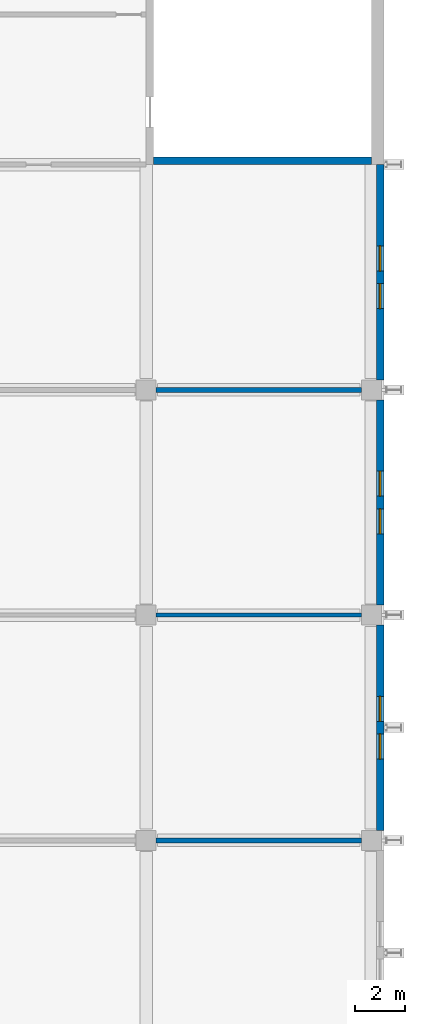
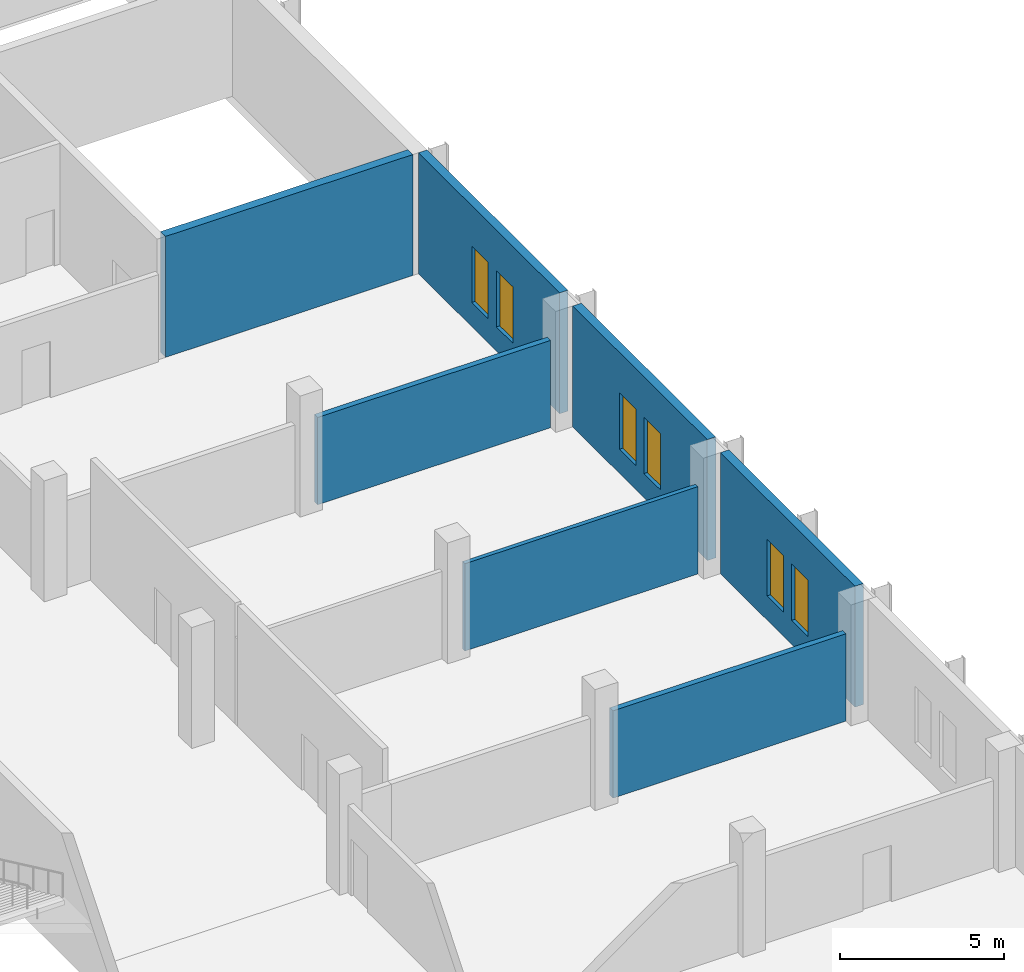
# One storey, part 105 of 168: 7 walls, 6 windows, 6 openings.
"""IFC4 building model written with IfcOpenShell, lengths in metres."""

from ifc_helpers import new_model, si_unit, direction, frame, frame_2d, origin, place, context, subcontext, project, spatial, rectangle, extrude, material, layer, layer_set, type_object, element, fill, save


model = new_model("IFC4")

# Units and contexts
model_context = context("Model", 3, precision=1e-05, world=origin(), true_north=direction((0.0, 1.0)))
body_context = subcontext(model_context, "Body", "Model", "MODEL_VIEW")
ifc_project = project(units=[si_unit("LENGTHUNIT", "METRE"), si_unit("AREAUNIT", "SQUARE_METRE"), si_unit("VOLUMEUNIT", "CUBIC_METRE"), si_unit("PLANEANGLEUNIT", "RADIAN"), si_unit("MASSUNIT", "GRAM", prefix="KILO")], contexts=[model_context])

# Site, building, storey
site_placement = place(None, origin())
site = spatial("IfcSite", under=ifc_project, at=site_placement, CompositionType="ELEMENT")
building_placement = place(site_placement, origin())
building = spatial("IfcBuilding", under=site, at=building_placement, Name="Silverbay Arena", CompositionType="ELEMENT")
storey_placement = place(building_placement, frame((0.0, 0.0, 7.0)))
storey = spatial("IfcBuildingStorey", under=building, at=storey_placement, Name="L01", CompositionType="ELEMENT", Elevation=7.0)

# Wall, openings, windows
ifc_material_1 = material(Name="Concrete Grade C45 precast, board-marked finish", Category="concrete")
ifc_layer_1 = layer(ifc_material_1, 0.300048828125)
ifc_layer_set_1 = layer_set([ifc_layer_1], Name="Concrete Grade C45 precast, board-marked finish")
wall_type_1 = type_object("IfcWallType", Name="Board-marked precast wall 300", PredefinedType="SOLIDWALL", material=ifc_layer_set_1)
wall_1_placement = place(storey_placement, frame((234.35009765625, 99.39990234375, 0.0), z_axis=(0.0, 0.0, 1.0), x_axis=(0.0, 1.0, 0.0)))
wall_1 = element("IfcWall", 1, at=wall_1_placement, inside=storey, type_object=wall_type_1, Name="East external wall L01 bay 10", PredefinedType="SOLIDWALL", context=body_context, shape_type="SweptSolid", body=[
    extrude(rectangle(XDim=8.2001953125, YDim=0.300048828125, at=frame_2d((4.10009765625, 0.0))), origin(), (0.0, 0.0, 1.0), 4.5),
])
opening_1_placement = place(wall_1_placement, frame((2.85009765625, 0.0, 0.89990234375)))
opening_1 = element("IfcOpeningElement", 2, at=opening_1_placement, cuts=wall_1, Name="Opening WN1", PredefinedType="OPENING", context=body_context, shape_type="SweptSolid", body=[
    extrude(rectangle(XDim=1.0, YDim=2.10009765625, at=frame_2d((0.5, 1.050048828125))), frame((0.0, 0.16015625, 0.0), z_axis=(0.0, -1.0, 0.0), x_axis=(1.0, 0.0, 0.0)), (0.0, 0.0, 1.0), 0.320068359375),
])
opening_2_placement = place(wall_1_placement, frame((4.35009765625, 0.0, 0.89990234375)))
opening_2 = element("IfcOpeningElement", 3, at=opening_2_placement, cuts=wall_1, Name="Opening WN1", PredefinedType="OPENING", context=body_context, shape_type="SweptSolid", body=[
    extrude(rectangle(XDim=1.0, YDim=2.10009765625, at=frame_2d((0.5, 1.050048828125))), frame((0.0, 0.16015625, 0.0), z_axis=(0.0, -1.0, 0.0), x_axis=(1.0, 0.0, 0.0)), (0.0, 0.0, 1.0), 0.320068359375),
])
ifc_material_2 = material(Name="Aluminium frame with double glazing", Category="aluminium")
window_type = type_object("IfcWindowType", Name="Window 1000 x 2100", PartitioningType="SINGLE_PANEL", PredefinedType="WINDOW", material=ifc_material_2)
window_1_placement = place(opening_1_placement, origin())
window_1 = element("IfcWindow", 4, at=window_1_placement, inside=storey, type_object=window_type, Name="East facade window L01 bay 10.1", OverallHeight=2.10009765625, OverallWidth=1.0, PartitioningType="SINGLE_PANEL", PredefinedType="WINDOW", context=body_context, shape_type="SweptSolid", body=[
    extrude(rectangle(XDim=1.0, YDim=2.10009765625, at=frame_2d((0.5, 1.050048828125))), frame((0.0, 0.030029296875, 0.0), z_axis=(0.0, -1.0, 0.0), x_axis=(1.0, 0.0, 0.0)), (0.0, 0.0, 1.0), 0.06005859375),
])
fill(opening_1, window_1)
window_2_placement = place(opening_2_placement, origin())
window_2 = element("IfcWindow", 5, at=window_2_placement, inside=storey, type_object=window_type, Name="East facade window L01 bay 10.2", OverallHeight=2.10009765625, OverallWidth=1.0, PartitioningType="SINGLE_PANEL", PredefinedType="WINDOW", context=body_context, shape_type="SweptSolid", body=[
    extrude(rectangle(XDim=1.0, YDim=2.10009765625, at=frame_2d((0.5, 1.050048828125))), frame((0.0, 0.030029296875, 0.0), z_axis=(0.0, -1.0, 0.0), x_axis=(1.0, 0.0, 0.0)), (0.0, 0.0, 1.0), 0.06005859375),
])
fill(opening_2, window_2)

wall_2_placement = place(storey_placement, frame((234.35009765625, 108.39990234375, 0.0), z_axis=(0.0, 0.0, 1.0), x_axis=(0.0, 1.0, 0.0)))
wall_2 = element("IfcWall", 6, at=wall_2_placement, inside=storey, type_object=wall_type_1, Name="East external wall L01 bay 11", PredefinedType="SOLIDWALL", context=body_context, shape_type="SweptSolid", body=[
    extrude(rectangle(XDim=8.2001953125, YDim=0.300048828125, at=frame_2d((4.10009765625, 0.0))), origin(), (0.0, 0.0, 1.0), 4.5),
])
opening_3_placement = place(wall_2_placement, frame((2.85009765625, 0.0, 0.89990234375)))
opening_3 = element("IfcOpeningElement", 7, at=opening_3_placement, cuts=wall_2, Name="Opening WN1", PredefinedType="OPENING", context=body_context, shape_type="SweptSolid", body=[
    extrude(rectangle(XDim=1.0, YDim=2.10009765625, at=frame_2d((0.5, 1.050048828125))), frame((0.0, 0.16015625, 0.0), z_axis=(0.0, -1.0, 0.0), x_axis=(1.0, 0.0, 0.0)), (0.0, 0.0, 1.0), 0.320068359375),
])
opening_4_placement = place(wall_2_placement, frame((4.35009765625, 0.0, 0.89990234375)))
opening_4 = element("IfcOpeningElement", 8, at=opening_4_placement, cuts=wall_2, Name="Opening WN1", PredefinedType="OPENING", context=body_context, shape_type="SweptSolid", body=[
    extrude(rectangle(XDim=1.0, YDim=2.10009765625, at=frame_2d((0.5, 1.050048828125))), frame((0.0, 0.16015625, 0.0), z_axis=(0.0, -1.0, 0.0), x_axis=(1.0, 0.0, 0.0)), (0.0, 0.0, 1.0), 0.320068359375),
])
window_3_placement = place(opening_3_placement, origin())
window_3 = element("IfcWindow", 9, at=window_3_placement, inside=storey, type_object=window_type, Name="East facade window L01 bay 11.1", OverallHeight=2.10009765625, OverallWidth=1.0, PartitioningType="SINGLE_PANEL", PredefinedType="WINDOW", context=body_context, shape_type="SweptSolid", body=[
    extrude(rectangle(XDim=1.0, YDim=2.10009765625, at=frame_2d((0.5, 1.050048828125))), frame((0.0, 0.030029296875, 0.0), z_axis=(0.0, -1.0, 0.0), x_axis=(1.0, 0.0, 0.0)), (0.0, 0.0, 1.0), 0.06005859375),
])
fill(opening_3, window_3)
window_4_placement = place(opening_4_placement, origin())
window_4 = element("IfcWindow", 10, at=window_4_placement, inside=storey, type_object=window_type, Name="East facade window L01 bay 11.2", OverallHeight=2.10009765625, OverallWidth=1.0, PartitioningType="SINGLE_PANEL", PredefinedType="WINDOW", context=body_context, shape_type="SweptSolid", body=[
    extrude(rectangle(XDim=1.0, YDim=2.10009765625, at=frame_2d((0.5, 1.050048828125))), frame((0.0, 0.030029296875, 0.0), z_axis=(0.0, -1.0, 0.0), x_axis=(1.0, 0.0, 0.0)), (0.0, 0.0, 1.0), 0.06005859375),
])
fill(opening_4, window_4)

wall_3_placement = place(storey_placement, frame((234.35009765625, 117.39990234375, 0.0), z_axis=(0.0, 0.0, 1.0), x_axis=(0.0, 1.0, 0.0)))
wall_3 = element("IfcWall", 11, at=wall_3_placement, inside=storey, type_object=wall_type_1, Name="East external wall L01 bay 12", PredefinedType="SOLIDWALL", context=body_context, shape_type="SweptSolid", body=[
    extrude(rectangle(XDim=8.60009765625, YDim=0.300048828125, at=frame_2d((4.300048828125, 0.0))), origin(), (0.0, 0.0, 1.0), 4.5),
])
opening_5_placement = place(wall_3_placement, frame((2.85009765625, 0.0, 0.89990234375)))
opening_5 = element("IfcOpeningElement", 12, at=opening_5_placement, cuts=wall_3, Name="Opening WN1", PredefinedType="OPENING", context=body_context, shape_type="SweptSolid", body=[
    extrude(rectangle(XDim=1.0, YDim=2.10009765625, at=frame_2d((0.5, 1.050048828125))), frame((0.0, 0.16015625, 0.0), z_axis=(0.0, -1.0, 0.0), x_axis=(1.0, 0.0, 0.0)), (0.0, 0.0, 1.0), 0.320068359375),
])
opening_6_placement = place(wall_3_placement, frame((4.35009765625, 0.0, 0.89990234375)))
opening_6 = element("IfcOpeningElement", 13, at=opening_6_placement, cuts=wall_3, Name="Opening WN1", PredefinedType="OPENING", context=body_context, shape_type="SweptSolid", body=[
    extrude(rectangle(XDim=1.0, YDim=2.10009765625, at=frame_2d((0.5, 1.050048828125))), frame((0.0, 0.16015625, 0.0), z_axis=(0.0, -1.0, 0.0), x_axis=(1.0, 0.0, 0.0)), (0.0, 0.0, 1.0), 0.320068359375),
])
window_5_placement = place(opening_5_placement, origin())
window_5 = element("IfcWindow", 14, at=window_5_placement, inside=storey, type_object=window_type, Name="East facade window L01 bay 12.1", OverallHeight=2.10009765625, OverallWidth=1.0, PartitioningType="SINGLE_PANEL", PredefinedType="WINDOW", context=body_context, shape_type="SweptSolid", body=[
    extrude(rectangle(XDim=1.0, YDim=2.10009765625, at=frame_2d((0.5, 1.050048828125))), frame((0.0, 0.030029296875, 0.0), z_axis=(0.0, -1.0, 0.0), x_axis=(1.0, 0.0, 0.0)), (0.0, 0.0, 1.0), 0.06005859375),
])
fill(opening_5, window_5)
window_6_placement = place(opening_6_placement, origin())
window_6 = element("IfcWindow", 15, at=window_6_placement, inside=storey, type_object=window_type, Name="East facade window L01 bay 12.2", OverallHeight=2.10009765625, OverallWidth=1.0, PartitioningType="SINGLE_PANEL", PredefinedType="WINDOW", context=body_context, shape_type="SweptSolid", body=[
    extrude(rectangle(XDim=1.0, YDim=2.10009765625, at=frame_2d((0.5, 1.050048828125))), frame((0.0, 0.030029296875, 0.0), z_axis=(0.0, -1.0, 0.0), x_axis=(1.0, 0.0, 0.0)), (0.0, 0.0, 1.0), 0.06005859375),
])
fill(opening_6, window_6)

# Walls
ifc_material_3 = material(Name="Concrete Grade C45", Category="concrete")
ifc_layer_2 = layer(ifc_material_3, 0.300048828125)
ifc_layer_set_2 = layer_set([ifc_layer_2], Name="Concrete Grade C45")
wall_type_2 = type_object("IfcWallType", Name="Core wall RC 300 EI 120", PredefinedType="SHEAR", material=ifc_layer_set_2)
wall_4_placement = place(storey_placement, frame((225.300048828125, 126.14990234375, 0.0), z_axis=(0.0, 0.0, 1.0), x_axis=(1.0, 0.0, 0.0)))
element("IfcWall", 16, at=wall_4_placement, inside=storey, type_object=wall_type_2, Name="Core wall ST-EG2 L01 end 1", PredefinedType="SHEAR", context=body_context, shape_type="SweptSolid", body=[
    extrude(rectangle(XDim=8.699951171875, YDim=0.300048828125, at=frame_2d((4.35009765625, 0.0))), origin(), (0.0, 0.0, 1.0), 4.5),
])
ifc_material_4 = material(Name="Gypsum board partition on steel studs", Category="steel")
ifc_layer_3 = layer(ifc_material_4, 0.14990234375)
ifc_layer_set_3 = layer_set([ifc_layer_3], Name="Gypsum board partition on steel studs")
wall_type_3 = type_object("IfcWallType", Name="Partition 150 EI 60", PredefinedType="PARTITIONING", material=ifc_layer_set_3)
wall_5_placement = place(storey_placement, frame((225.39990234375, 108.0, 0.0), z_axis=(0.0, 0.0, 1.0), x_axis=(1.0, 0.0, 0.0)))
element("IfcWall", 17, at=wall_5_placement, inside=storey, type_object=wall_type_3, Name="Partition wall", PredefinedType="PARTITIONING", context=body_context, shape_type="SweptSolid", body=[
    extrude(rectangle(XDim=8.2001953125, YDim=0.14990234375, at=frame_2d((4.10009765625, 0.0))), origin(), (0.0, 0.0, 1.0), 3.25),
])
ifc_material_5 = material(Name="Gypsum board partition on steel studs", Category="steel")
ifc_layer_4 = layer(ifc_material_5, 0.199951171875)
ifc_layer_set_4 = layer_set([ifc_layer_4], Name="Gypsum board partition on steel studs")
wall_type_4 = type_object("IfcWallType", Name="Partition 200 EI 60", PredefinedType="PARTITIONING", material=ifc_layer_set_4)
for number, where, z_axis, x_axis, name in (
    (18, (225.39990234375, 99.0, 0.0), (0.0, 0.0, 1.0), (1.0, 0.0, 0.0), "Partition wall"),
    (19, (225.39990234375, 117.0, 0.0), (0.0, 0.0, 1.0), (1.0, 0.0, 0.0), "Partition wall"),
):
    element("IfcWall", number, at=place(storey_placement, frame(where, z_axis=z_axis, x_axis=x_axis)), inside=storey, type_object=wall_type_4, Name=name, PredefinedType="PARTITIONING", context=body_context, shape_type="SweptSolid", body=[
        extrude(rectangle(XDim=8.2001953125, YDim=0.199951171875, at=frame_2d((4.10009765625, 0.0))), origin(), (0.0, 0.0, 1.0), 3.25),
    ])

save(model, "model.ifc")
